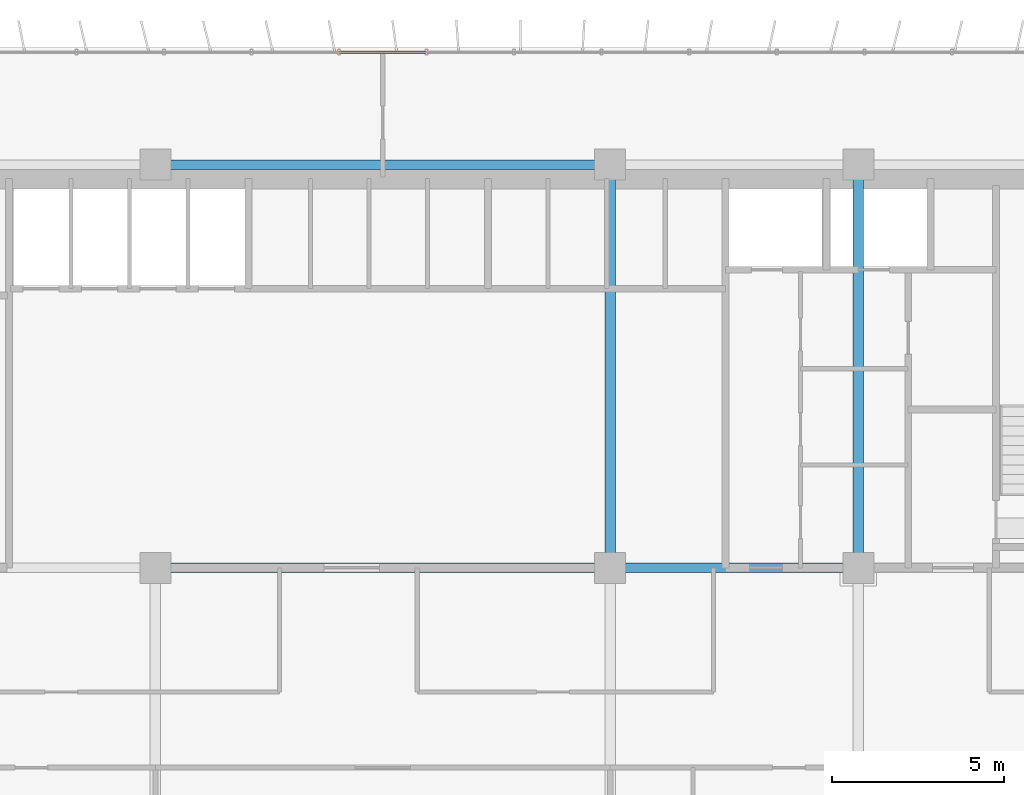
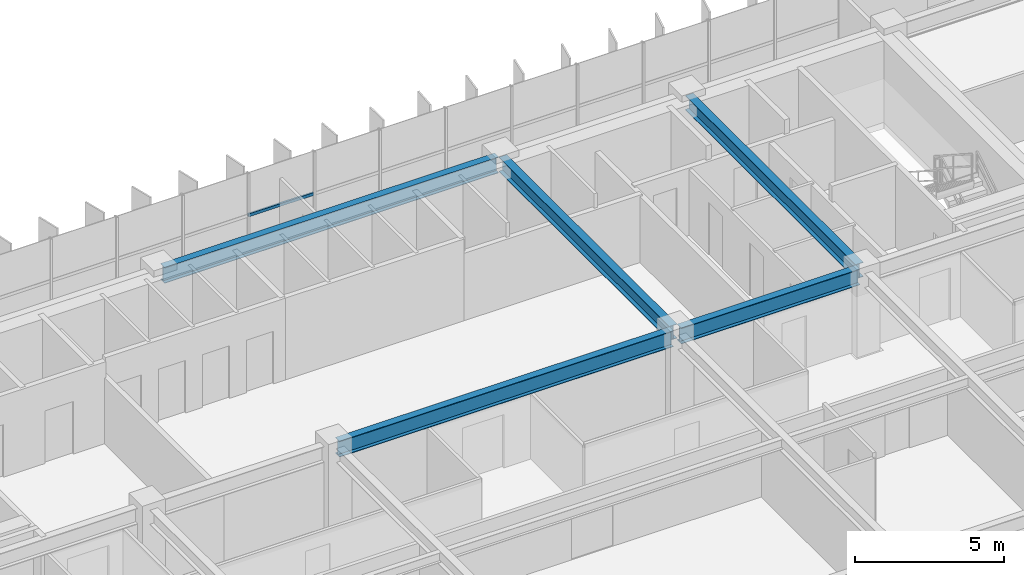
# One storey, part 9 of 23: 5 beams, 1 member, 1 element without a shape of its own.
"""IFC4 building model written with IfcOpenShell, lengths in metres."""

from ifc_helpers import new_model, si_unit, direction, frame, origin, origin_2d, place, context, subcontext, project, spatial, hollow_rectangle, i_section, extrude, source, transform, mapped, material, material_profile, profile_set, type_object, element, aggregate, save


model = new_model("IFC4")

# Units and contexts
model_context = context("Model", 3, precision=1e-05, world=origin(), true_north=direction((0.0, 1.0)))
body_context = subcontext(model_context, "Body", "Model", "MODEL_VIEW")
ifc_project = project(units=[si_unit("LENGTHUNIT", "METRE"), si_unit("AREAUNIT", "SQUARE_METRE"), si_unit("VOLUMEUNIT", "CUBIC_METRE"), si_unit("PLANEANGLEUNIT", "RADIAN"), si_unit("MASSUNIT", "GRAM", prefix="KILO")], contexts=[model_context])

# Site, building, storey
site_placement = place(None, origin())
site = spatial("IfcSite", under=ifc_project, at=site_placement, CompositionType="ELEMENT")
building_placement = place(site_placement, origin())
building = spatial("IfcBuilding", under=site, at=building_placement, Name="Trelvane Seafront Commons", CompositionType="ELEMENT")
storey_placement = place(building_placement, frame((0.0, 0.0, 63.10009765625)))
storey = spatial("IfcBuildingStorey", under=building, at=storey_placement, Name="L16", CompositionType="ELEMENT", Elevation=63.10009765625)

# Beams
ifc_material_1 = material(Name="Steel SM355 (S355)", Category="steel")
ifc_material_profile_1 = material_profile(ifc_material_1, i_section(OverallWidth=0.280029296875, OverallDepth=0.64990234375, WebThickness=0.012939453125, FlangeThickness=0.02197265625, at=origin_2d()), Name="H-650x280x13x22")
ifc_profile_set_1 = profile_set([ifc_material_profile_1], Name="Steel SM355 (S355)")
beam_type_1 = type_object("IfcBeamType", Name="STR-BM-H650", PredefinedType="BEAM", material=ifc_profile_set_1)
shared_shape_1 = source(origin(), body_context, "Body", "SweptSolid", [
    extrude(i_section(OverallWidth=0.280029296875, OverallDepth=0.64990234375, WebThickness=0.012939453125, FlangeThickness=0.02197265625, at=origin_2d()), origin(), (0.0, 0.0, 1.0), 12.89990234375),
])
for number, where, z_axis, x_axis, name in (
    (1, (30.75, 33.39990234375, 3.014892578125), (1.0, 0.0, 0.0), (0.0, 1.0, 0.0), "L16 Primary Girder G-23"),
    (2, (30.75, 45.10009765625, 3.014892578125), (1.0, 0.0, 0.0), (0.0, 1.0, 0.0), "L16 Primary Girder G-32"),
):
    element("IfcBeam", number, at=place(storey_placement, frame(where, z_axis=z_axis, x_axis=x_axis)), inside=storey, type_object=beam_type_1, Name=name, PredefinedType="BEAM", context=body_context, shape_type="MappedRepresentation", body=[
        mapped(shared_shape_1, transform((0.0, 0.0, 0.0), x_axis=(1.0, 0.0, 0.0), y_axis=(0.0, 1.0, 0.0), z_axis=(0.0, 0.0, 1.0), scale=1.0)),
    ])
shared_shape_2 = source(origin(), body_context, "Body", "SweptSolid", [
    extrude(i_section(OverallWidth=0.280029296875, OverallDepth=0.64990234375, WebThickness=0.012939453125, FlangeThickness=0.02197265625, at=origin_2d()), origin(), (0.0, 0.0, 1.0), 6.900146484375),
])
beam_placement = place(storey_placement, frame((43.949951171875, 33.39990234375, 3.014892578125), z_axis=(1.0, 0.0, 0.0), x_axis=(0.0, 1.0, 0.0)))
element("IfcBeam", 3, at=beam_placement, inside=storey, type_object=beam_type_1, Name="L16 Primary Girder G-24", PredefinedType="BEAM", context=body_context, shape_type="MappedRepresentation", body=[
    mapped(shared_shape_2, transform((0.0, 0.0, 0.0), x_axis=(1.0, 0.0, 0.0), y_axis=(0.0, 1.0, 0.0), z_axis=(0.0, 0.0, 1.0), scale=1.0)),
])
ifc_material_profile_2 = material_profile(ifc_material_1, i_section(OverallWidth=0.300048828125, OverallDepth=0.587890625, WebThickness=0.011962890625, FlangeThickness=0.02001953125, at=origin_2d()), Name="H-588x300x12x20")
ifc_profile_set_2 = profile_set([ifc_material_profile_2], Name="Steel SM355 (S355)")
beam_type_2 = type_object("IfcBeamType", Name="STR-BM-H588", PredefinedType="BEAM", material=ifc_profile_set_2)
shared_shape_3 = source(origin(), body_context, "Body", "SweptSolid", [
    extrude(i_section(OverallWidth=0.300048828125, OverallDepth=0.587890625, WebThickness=0.011962890625, FlangeThickness=0.02001953125, at=origin_2d()), origin(), (0.0, 0.0, 1.0), 11.39990234375),
])
for number, where, z_axis, x_axis, name in (
    (4, (43.800048828125, 33.550048828125, 3.0458984375), (0.0, 1.0, 0.0), (-1.0, 0.0, 0.0), "L16 Primary Girder G-54"),
    (5, (51.0, 33.550048828125, 3.0458984375), (0.0, 1.0, 0.0), (-1.0, 0.0, 0.0), "L16 Primary Girder G-57"),
):
    element("IfcBeam", number, at=place(storey_placement, frame(where, z_axis=z_axis, x_axis=x_axis)), inside=storey, type_object=beam_type_2, Name=name, PredefinedType="BEAM", context=body_context, shape_type="MappedRepresentation", body=[
        mapped(shared_shape_3, transform((0.0, 0.0, 0.0), x_axis=(1.0, 0.0, 0.0), y_axis=(0.0, 1.0, 0.0), z_axis=(0.0, 0.0, 1.0), scale=1.0)),
    ])

# Curtain wall, member
ifc_material_2 = material(Name="Anodised pale-silver aluminium", Category="aluminium")
curtain_wall_type = type_object("IfcCurtainWallType", Name="ARCH-CW2-LOWTOWER", PredefinedType="NOTDEFINED", material=ifc_material_2)
curtain_wall_placement = place(storey_placement, origin())
curtain_wall = element("IfcCurtainWall", 6, at=curtain_wall_placement, inside=storey, type_object=curtain_wall_type, Name="CW-L16-0040", PredefinedType="NOTDEFINED")
ifc_material_profile_3 = material_profile(ifc_material_2, hollow_rectangle(XDim=0.070068359375, YDim=0.1201171875, WallThickness=0.00390625, at=origin_2d()), Name="TRAN-70x120x4")
ifc_profile_set_3 = profile_set([ifc_material_profile_3], Name="Anodised pale-silver aluminium")
member_type = type_object("IfcMemberType", Name="ARCH-CW-TRAN-120", PredefinedType="USERDEFINED", material=ifc_profile_set_3)
shared_shape_4 = source(origin(), body_context, "Body", "SweptSolid", [
    extrude(hollow_rectangle(XDim=0.070068359375, YDim=0.1201171875, WallThickness=0.00390625, at=origin_2d()), origin(), (0.0, 0.0, 1.0), 2.51708984375),
])
member_placement = place(storey_placement, frame((35.94140625, 48.3701171875, 1.602783203125), z_axis=(1.0, 0.0, 0.0), x_axis=(0.0, 1.0, 0.0)))
member = element("IfcMember", 7, at=member_placement, type_object=member_type, Name="CW-L16-0040-T08", ObjectType="TRANSOM", PredefinedType="USERDEFINED", context=body_context, shape_type="MappedRepresentation", body=[
    mapped(shared_shape_4, transform((0.0, 0.0, 0.0), x_axis=(1.0, 0.0, 0.0), y_axis=(0.0, 1.0, 0.0), z_axis=(0.0, 0.0, 1.0), scale=1.0)),
])
aggregate(curtain_wall, [member])

save(model, "model.ifc")
